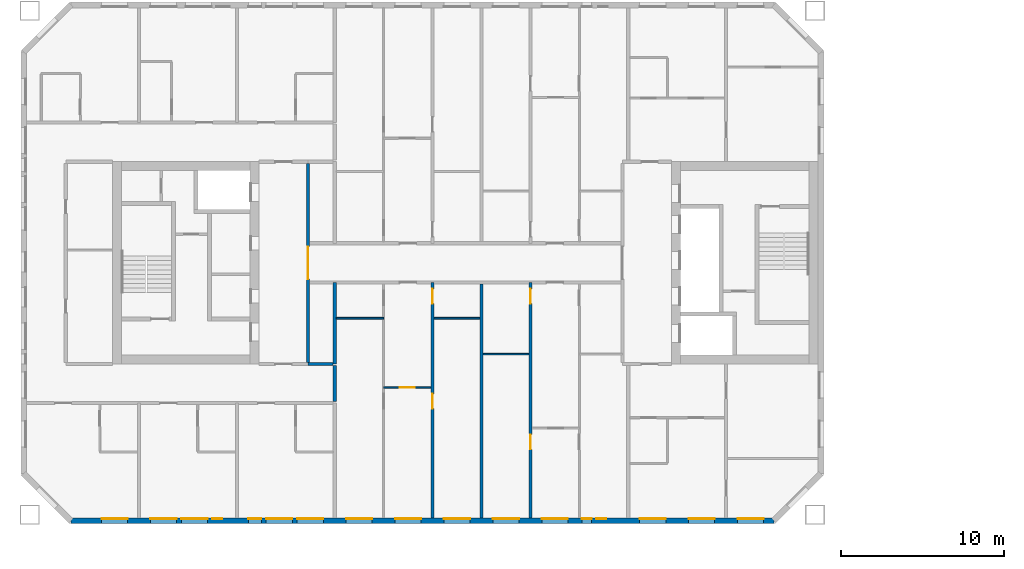
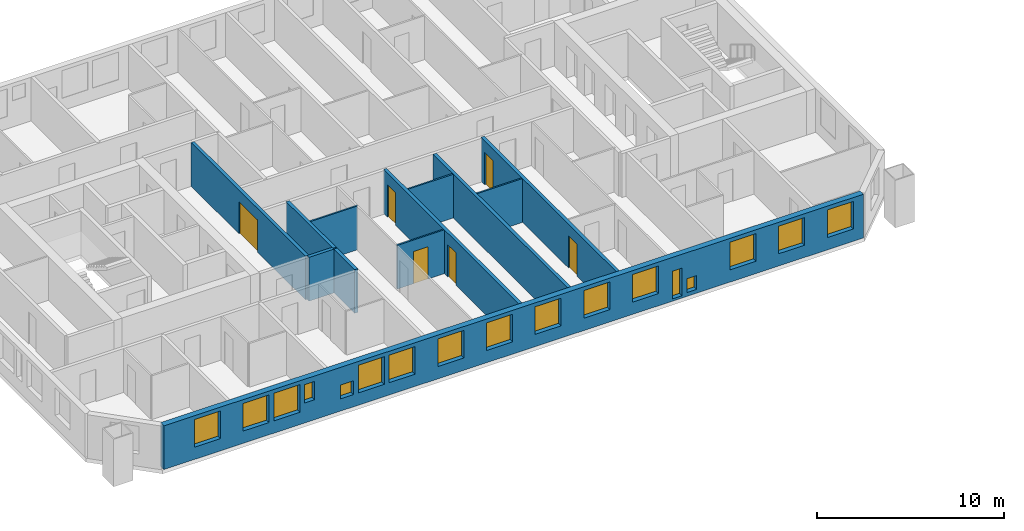
# One storey, part 4 of 16: 17 windows, 12 walls, 6 doors, 23 openings.
"""IFC4 building model written with IfcOpenShell, lengths in metres."""

from ifc_helpers import new_model, si_unit, direction, frame, frame_2d, origin, place, context, subcontext, project, spatial, rectangle, extrude, material, layer, layer_set, type_object, element, fill, save


model = new_model("IFC4")

# Units and contexts
model_context = context("Model", 3, precision=1e-05, world=origin(), true_north=direction((0.0, 1.0)))
body_context = subcontext(model_context, "Body", "Model", "MODEL_VIEW")
ifc_project = project(units=[si_unit("LENGTHUNIT", "METRE"), si_unit("AREAUNIT", "SQUARE_METRE"), si_unit("VOLUMEUNIT", "CUBIC_METRE"), si_unit("PLANEANGLEUNIT", "RADIAN"), si_unit("MASSUNIT", "GRAM", prefix="KILO")], contexts=[model_context])

# Site, building, storey
site_placement = place(None, origin())
site = spatial("IfcSite", under=ifc_project, at=site_placement, CompositionType="ELEMENT")
building_placement = place(site_placement, origin())
building = spatial("IfcBuilding", under=site, at=building_placement, Name="Tuart Gate Housing", CompositionType="ELEMENT")
storey_placement = place(building_placement, frame((0.0, 0.0, 129.89990234375)))
storey = spatial("IfcBuildingStorey", under=building, at=storey_placement, Name="L36", CompositionType="ELEMENT", Elevation=129.89990234375)

# Wall, openings, windows
ifc_material_1 = material(Name="Brick", Category="masonry")
ifc_layer_1 = layer(ifc_material_1, 0.360107421875)
ifc_layer_set_1 = layer_set([ifc_layer_1], Name="Brick pier and spandrel wall 360")
wall_type_1 = type_object("IfcWallType", Name="Brick pier and spandrel wall 360", PredefinedType="STANDARD", material=ifc_layer_set_1)
wall_1_placement = place(storey_placement, frame((29.82470703125, 54.179931640625, 0.0), z_axis=(0.0, 0.0, 1.0), x_axis=(1.0, 0.0, 0.0)))
wall_1 = element("IfcWall", 1, at=wall_1_placement, inside=storey, type_object=wall_type_1, Name="External wall A-S L36", PredefinedType="STANDARD", context=body_context, shape_type="SweptSolid", body=[
    extrude(rectangle(XDim=43.100830078125, YDim=0.360107421875, at=frame_2d((21.55029296875, 0.0))), origin(), (0.0, 0.0, 1.0), 2.85009765625),
])
opening_1_placement = place(wall_1_placement, frame((1.87548828125, 0.0, 0.800048828125)))
opening_1 = element("IfcOpeningElement", 2, at=opening_1_placement, cuts=wall_1, Name="Opening W1", PredefinedType="OPENING", context=body_context, shape_type="SweptSolid", body=[
    extrude(rectangle(XDim=1.60009765625, YDim=1.800048828125, at=frame_2d((0.800048828125, 0.89990234375))), frame((0.0, 0.18994140625, 0.0), z_axis=(0.0, -1.0, 0.0), x_axis=(1.0, 0.0, 0.0)), (0.0, 0.0, 1.0), 0.380126953125),
])
opening_2_placement = place(wall_1_placement, frame((4.87548828125, 0.0, 0.800048828125)))
opening_2 = element("IfcOpeningElement", 3, at=opening_2_placement, cuts=wall_1, Name="Opening W1", PredefinedType="OPENING", context=body_context, shape_type="SweptSolid", body=[
    extrude(rectangle(XDim=1.60009765625, YDim=1.800048828125, at=frame_2d((0.800048828125, 0.89990234375))), frame((0.0, 0.18994140625, 0.0), z_axis=(0.0, -1.0, 0.0), x_axis=(1.0, 0.0, 0.0)), (0.0, 0.0, 1.0), 0.380126953125),
])
opening_3_placement = place(wall_1_placement, frame((6.775390625, 0.0, 0.800048828125)))
opening_3 = element("IfcOpeningElement", 4, at=opening_3_placement, cuts=wall_1, Name="Opening W1", PredefinedType="OPENING", context=body_context, shape_type="SweptSolid", body=[
    extrude(rectangle(XDim=1.60009765625, YDim=1.800048828125, at=frame_2d((0.800048828125, 0.89990234375))), frame((0.0, 0.18994140625, 0.0), z_axis=(0.0, -1.0, 0.0), x_axis=(1.0, 0.0, 0.0)), (0.0, 0.0, 1.0), 0.380126953125),
])
opening_4_placement = place(wall_1_placement, frame((10.87548828125, 0.0, 0.800048828125)))
opening_4 = element("IfcOpeningElement", 5, at=opening_4_placement, cuts=wall_1, Name="Opening W1V", PredefinedType="OPENING", context=body_context, shape_type="SweptSolid", body=[
    extrude(rectangle(XDim=0.800048828125, YDim=0.89990234375, at=frame_2d((0.39990234375, 0.449951171875))), frame((0.0, 0.18994140625, 0.0), z_axis=(0.0, -1.0, 0.0), x_axis=(1.0, 0.0, 0.0)), (0.0, 0.0, 1.0), 0.380126953125),
])
opening_5_placement = place(wall_1_placement, frame((13.87548828125, 0.0, 0.800048828125)))
opening_5 = element("IfcOpeningElement", 6, at=opening_5_placement, cuts=wall_1, Name="Opening W1", PredefinedType="OPENING", context=body_context, shape_type="SweptSolid", body=[
    extrude(rectangle(XDim=1.60009765625, YDim=1.800048828125, at=frame_2d((0.800048828125, 0.89990234375))), frame((0.0, 0.18994140625, 0.0), z_axis=(0.0, -1.0, 0.0), x_axis=(1.0, 0.0, 0.0)), (0.0, 0.0, 1.0), 0.380126953125),
])
opening_6_placement = place(wall_1_placement, frame((16.87548828125, 0.0, 0.800048828125)))
opening_6 = element("IfcOpeningElement", 7, at=opening_6_placement, cuts=wall_1, Name="Opening W1", PredefinedType="OPENING", context=body_context, shape_type="SweptSolid", body=[
    extrude(rectangle(XDim=1.60009765625, YDim=1.800048828125, at=frame_2d((0.800048828125, 0.89990234375))), frame((0.0, 0.18994140625, 0.0), z_axis=(0.0, -1.0, 0.0), x_axis=(1.0, 0.0, 0.0)), (0.0, 0.0, 1.0), 0.380126953125),
])
opening_7_placement = place(wall_1_placement, frame((19.87548828125, 0.0, 0.800048828125)))
opening_7 = element("IfcOpeningElement", 8, at=opening_7_placement, cuts=wall_1, Name="Opening W1", PredefinedType="OPENING", context=body_context, shape_type="SweptSolid", body=[
    extrude(rectangle(XDim=1.60009765625, YDim=1.800048828125, at=frame_2d((0.800048828125, 0.89990234375))), frame((0.0, 0.18994140625, 0.0), z_axis=(0.0, -1.0, 0.0), x_axis=(1.0, 0.0, 0.0)), (0.0, 0.0, 1.0), 0.380126953125),
])
opening_8_placement = place(wall_1_placement, frame((22.87548828125, 0.0, 0.800048828125)))
opening_8 = element("IfcOpeningElement", 9, at=opening_8_placement, cuts=wall_1, Name="Opening W1", PredefinedType="OPENING", context=body_context, shape_type="SweptSolid", body=[
    extrude(rectangle(XDim=1.60009765625, YDim=1.800048828125, at=frame_2d((0.800048828125, 0.89990234375))), frame((0.0, 0.18994140625, 0.0), z_axis=(0.0, -1.0, 0.0), x_axis=(1.0, 0.0, 0.0)), (0.0, 0.0, 1.0), 0.380126953125),
])
opening_9_placement = place(wall_1_placement, frame((25.87548828125, 0.0, 0.800048828125)))
opening_9 = element("IfcOpeningElement", 10, at=opening_9_placement, cuts=wall_1, Name="Opening W1", PredefinedType="OPENING", context=body_context, shape_type="SweptSolid", body=[
    extrude(rectangle(XDim=1.60009765625, YDim=1.800048828125, at=frame_2d((0.800048828125, 0.89990234375))), frame((0.0, 0.18994140625, 0.0), z_axis=(0.0, -1.0, 0.0), x_axis=(1.0, 0.0, 0.0)), (0.0, 0.0, 1.0), 0.380126953125),
])
opening_10_placement = place(wall_1_placement, frame((28.87548828125, 0.0, 0.800048828125)))
opening_10 = element("IfcOpeningElement", 11, at=opening_10_placement, cuts=wall_1, Name="Opening W1", PredefinedType="OPENING", context=body_context, shape_type="SweptSolid", body=[
    extrude(rectangle(XDim=1.60009765625, YDim=1.800048828125, at=frame_2d((0.800048828125, 0.89990234375))), frame((0.0, 0.18994140625, 0.0), z_axis=(0.0, -1.0, 0.0), x_axis=(1.0, 0.0, 0.0)), (0.0, 0.0, 1.0), 0.380126953125),
])
opening_11_placement = place(wall_1_placement, frame((31.325439453125, 0.0, 0.14990234375)))
opening_11 = element("IfcOpeningElement", 12, at=opening_11_placement, cuts=wall_1, Name="Opening W1E", PredefinedType="OPENING", context=body_context, shape_type="SweptSolid", body=[
    extrude(rectangle(XDim=0.60009765625, YDim=1.800048828125, at=frame_2d((0.300048828125, 0.89990234375))), frame((0.0, 0.18994140625, 0.0), z_axis=(0.0, -1.0, 0.0), x_axis=(1.0, 0.0, 0.0)), (0.0, 0.0, 1.0), 0.380126953125),
])
opening_12_placement = place(wall_1_placement, frame((34.87548828125, 0.0, 0.800048828125)))
opening_12 = element("IfcOpeningElement", 13, at=opening_12_placement, cuts=wall_1, Name="Opening W1", PredefinedType="OPENING", context=body_context, shape_type="SweptSolid", body=[
    extrude(rectangle(XDim=1.60009765625, YDim=1.800048828125, at=frame_2d((0.800048828125, 0.89990234375))), frame((0.0, 0.18994140625, 0.0), z_axis=(0.0, -1.0, 0.0), x_axis=(1.0, 0.0, 0.0)), (0.0, 0.0, 1.0), 0.380126953125),
])
opening_13_placement = place(wall_1_placement, frame((37.87548828125, 0.0, 0.800048828125)))
opening_13 = element("IfcOpeningElement", 14, at=opening_13_placement, cuts=wall_1, Name="Opening W1", PredefinedType="OPENING", context=body_context, shape_type="SweptSolid", body=[
    extrude(rectangle(XDim=1.60009765625, YDim=1.800048828125, at=frame_2d((0.800048828125, 0.89990234375))), frame((0.0, 0.18994140625, 0.0), z_axis=(0.0, -1.0, 0.0), x_axis=(1.0, 0.0, 0.0)), (0.0, 0.0, 1.0), 0.380126953125),
])
opening_14_placement = place(wall_1_placement, frame((40.87548828125, 0.0, 0.800048828125)))
opening_14 = element("IfcOpeningElement", 15, at=opening_14_placement, cuts=wall_1, Name="Opening W1", PredefinedType="OPENING", context=body_context, shape_type="SweptSolid", body=[
    extrude(rectangle(XDim=1.60009765625, YDim=1.800048828125, at=frame_2d((0.800048828125, 0.89990234375))), frame((0.0, 0.18994140625, 0.0), z_axis=(0.0, -1.0, 0.0), x_axis=(1.0, 0.0, 0.0)), (0.0, 0.0, 1.0), 0.380126953125),
])
opening_15_placement = place(wall_1_placement, frame((8.67529296875, 0.0, 1.300048828125)))
opening_15 = element("IfcOpeningElement", 16, at=opening_15_placement, cuts=wall_1, Name="Opening W1Q", PredefinedType="OPENING", context=body_context, shape_type="SweptSolid", body=[
    extrude(rectangle(XDim=0.60009765625, YDim=1.199951171875, at=frame_2d((0.300048828125, 0.60009765625))), frame((0.0, 0.18994140625, 0.0), z_axis=(0.0, -1.0, 0.0), x_axis=(1.0, 0.0, 0.0)), (0.0, 0.0, 1.0), 0.380126953125),
])
opening_16_placement = place(wall_1_placement, frame((11.975341796875, 0.0, 0.800048828125)))
opening_16 = element("IfcOpeningElement", 17, at=opening_16_placement, cuts=wall_1, Name="Opening W1", PredefinedType="OPENING", context=body_context, shape_type="SweptSolid", body=[
    extrude(rectangle(XDim=1.60009765625, YDim=1.800048828125, at=frame_2d((0.800048828125, 0.89990234375))), frame((0.0, 0.18994140625, 0.0), z_axis=(0.0, -1.0, 0.0), x_axis=(1.0, 0.0, 0.0)), (0.0, 0.0, 1.0), 0.380126953125),
])
opening_17_placement = place(wall_1_placement, frame((32.225341796875, 0.0, 0.25)))
opening_17 = element("IfcOpeningElement", 18, at=opening_17_placement, cuts=wall_1, Name="Opening W1W", PredefinedType="OPENING", context=body_context, shape_type="SweptSolid", body=[
    extrude(rectangle(XDim=0.60009765625, YDim=0.89990234375, at=frame_2d((0.300048828125, 0.449951171875))), frame((0.0, 0.18994140625, 0.0), z_axis=(0.0, -1.0, 0.0), x_axis=(1.0, 0.0, 0.0)), (0.0, 0.0, 1.0), 0.380126953125),
])
ifc_material_2 = material(Name="Aluminium frame with clear glass", Category="aluminium")
window_type_1 = type_object("IfcWindowType", Name="Punched window 1600 x 1800", PartitioningType="SINGLE_PANEL", PredefinedType="WINDOW", material=ifc_material_2)
window_1_placement = place(opening_1_placement, origin())
window_1 = element("IfcWindow", 19, at=window_1_placement, inside=storey, type_object=window_type_1, Name="Window W1", OverallHeight=1.800048828125, OverallWidth=1.60009765625, PartitioningType="SINGLE_PANEL", PredefinedType="WINDOW", context=body_context, shape_type="SweptSolid", body=[
    extrude(rectangle(XDim=1.60009765625, YDim=1.800048828125, at=frame_2d((0.800048828125, 0.89990234375))), frame((0.0, 0.150146484375, 0.0), z_axis=(0.0, -1.0, 0.0), x_axis=(1.0, 0.0, 0.0)), (0.0, 0.0, 1.0), 0.06005859375),
])
fill(opening_1, window_1)
window_2_placement = place(opening_2_placement, origin())
window_2 = element("IfcWindow", 20, at=window_2_placement, inside=storey, type_object=window_type_1, Name="Window W1", OverallHeight=1.800048828125, OverallWidth=1.60009765625, PartitioningType="SINGLE_PANEL", PredefinedType="WINDOW", context=body_context, shape_type="SweptSolid", body=[
    extrude(rectangle(XDim=1.60009765625, YDim=1.800048828125, at=frame_2d((0.800048828125, 0.89990234375))), frame((0.0, 0.150146484375, 0.0), z_axis=(0.0, -1.0, 0.0), x_axis=(1.0, 0.0, 0.0)), (0.0, 0.0, 1.0), 0.06005859375),
])
fill(opening_2, window_2)
window_3_placement = place(opening_3_placement, origin())
window_3 = element("IfcWindow", 21, at=window_3_placement, inside=storey, type_object=window_type_1, Name="Window W1", OverallHeight=1.800048828125, OverallWidth=1.60009765625, PartitioningType="SINGLE_PANEL", PredefinedType="WINDOW", context=body_context, shape_type="SweptSolid", body=[
    extrude(rectangle(XDim=1.60009765625, YDim=1.800048828125, at=frame_2d((0.800048828125, 0.89990234375))), frame((0.0, 0.150146484375, 0.0), z_axis=(0.0, -1.0, 0.0), x_axis=(1.0, 0.0, 0.0)), (0.0, 0.0, 1.0), 0.06005859375),
])
fill(opening_3, window_3)
window_4_placement = place(opening_5_placement, origin())
window_4 = element("IfcWindow", 22, at=window_4_placement, inside=storey, type_object=window_type_1, Name="Window W1", OverallHeight=1.800048828125, OverallWidth=1.60009765625, PartitioningType="SINGLE_PANEL", PredefinedType="WINDOW", context=body_context, shape_type="SweptSolid", body=[
    extrude(rectangle(XDim=1.60009765625, YDim=1.800048828125, at=frame_2d((0.800048828125, 0.89990234375))), frame((0.0, 0.150146484375, 0.0), z_axis=(0.0, -1.0, 0.0), x_axis=(1.0, 0.0, 0.0)), (0.0, 0.0, 1.0), 0.06005859375),
])
fill(opening_5, window_4)
window_5_placement = place(opening_6_placement, origin())
window_5 = element("IfcWindow", 23, at=window_5_placement, inside=storey, type_object=window_type_1, Name="Window W1", OverallHeight=1.800048828125, OverallWidth=1.60009765625, PartitioningType="SINGLE_PANEL", PredefinedType="WINDOW", context=body_context, shape_type="SweptSolid", body=[
    extrude(rectangle(XDim=1.60009765625, YDim=1.800048828125, at=frame_2d((0.800048828125, 0.89990234375))), frame((0.0, 0.150146484375, 0.0), z_axis=(0.0, -1.0, 0.0), x_axis=(1.0, 0.0, 0.0)), (0.0, 0.0, 1.0), 0.06005859375),
])
fill(opening_6, window_5)
window_6_placement = place(opening_7_placement, origin())
window_6 = element("IfcWindow", 24, at=window_6_placement, inside=storey, type_object=window_type_1, Name="Window W1", OverallHeight=1.800048828125, OverallWidth=1.60009765625, PartitioningType="SINGLE_PANEL", PredefinedType="WINDOW", context=body_context, shape_type="SweptSolid", body=[
    extrude(rectangle(XDim=1.60009765625, YDim=1.800048828125, at=frame_2d((0.800048828125, 0.89990234375))), frame((0.0, 0.150146484375, 0.0), z_axis=(0.0, -1.0, 0.0), x_axis=(1.0, 0.0, 0.0)), (0.0, 0.0, 1.0), 0.06005859375),
])
fill(opening_7, window_6)
window_7_placement = place(opening_8_placement, origin())
window_7 = element("IfcWindow", 25, at=window_7_placement, inside=storey, type_object=window_type_1, Name="Window W1", OverallHeight=1.800048828125, OverallWidth=1.60009765625, PartitioningType="SINGLE_PANEL", PredefinedType="WINDOW", context=body_context, shape_type="SweptSolid", body=[
    extrude(rectangle(XDim=1.60009765625, YDim=1.800048828125, at=frame_2d((0.800048828125, 0.89990234375))), frame((0.0, 0.150146484375, 0.0), z_axis=(0.0, -1.0, 0.0), x_axis=(1.0, 0.0, 0.0)), (0.0, 0.0, 1.0), 0.06005859375),
])
fill(opening_8, window_7)
window_8_placement = place(opening_9_placement, origin())
window_8 = element("IfcWindow", 26, at=window_8_placement, inside=storey, type_object=window_type_1, Name="Window W1", OverallHeight=1.800048828125, OverallWidth=1.60009765625, PartitioningType="SINGLE_PANEL", PredefinedType="WINDOW", context=body_context, shape_type="SweptSolid", body=[
    extrude(rectangle(XDim=1.60009765625, YDim=1.800048828125, at=frame_2d((0.800048828125, 0.89990234375))), frame((0.0, 0.150146484375, 0.0), z_axis=(0.0, -1.0, 0.0), x_axis=(1.0, 0.0, 0.0)), (0.0, 0.0, 1.0), 0.06005859375),
])
fill(opening_9, window_8)
window_9_placement = place(opening_10_placement, origin())
window_9 = element("IfcWindow", 27, at=window_9_placement, inside=storey, type_object=window_type_1, Name="Window W1", OverallHeight=1.800048828125, OverallWidth=1.60009765625, PartitioningType="SINGLE_PANEL", PredefinedType="WINDOW", context=body_context, shape_type="SweptSolid", body=[
    extrude(rectangle(XDim=1.60009765625, YDim=1.800048828125, at=frame_2d((0.800048828125, 0.89990234375))), frame((0.0, 0.150146484375, 0.0), z_axis=(0.0, -1.0, 0.0), x_axis=(1.0, 0.0, 0.0)), (0.0, 0.0, 1.0), 0.06005859375),
])
fill(opening_10, window_9)
window_10_placement = place(opening_12_placement, origin())
window_10 = element("IfcWindow", 28, at=window_10_placement, inside=storey, type_object=window_type_1, Name="Window W1", OverallHeight=1.800048828125, OverallWidth=1.60009765625, PartitioningType="SINGLE_PANEL", PredefinedType="WINDOW", context=body_context, shape_type="SweptSolid", body=[
    extrude(rectangle(XDim=1.60009765625, YDim=1.800048828125, at=frame_2d((0.800048828125, 0.89990234375))), frame((0.0, 0.150146484375, 0.0), z_axis=(0.0, -1.0, 0.0), x_axis=(1.0, 0.0, 0.0)), (0.0, 0.0, 1.0), 0.06005859375),
])
fill(opening_12, window_10)
window_11_placement = place(opening_13_placement, origin())
window_11 = element("IfcWindow", 29, at=window_11_placement, inside=storey, type_object=window_type_1, Name="Window W1", OverallHeight=1.800048828125, OverallWidth=1.60009765625, PartitioningType="SINGLE_PANEL", PredefinedType="WINDOW", context=body_context, shape_type="SweptSolid", body=[
    extrude(rectangle(XDim=1.60009765625, YDim=1.800048828125, at=frame_2d((0.800048828125, 0.89990234375))), frame((0.0, 0.150146484375, 0.0), z_axis=(0.0, -1.0, 0.0), x_axis=(1.0, 0.0, 0.0)), (0.0, 0.0, 1.0), 0.06005859375),
])
fill(opening_13, window_11)
window_12_placement = place(opening_14_placement, origin())
window_12 = element("IfcWindow", 30, at=window_12_placement, inside=storey, type_object=window_type_1, Name="Window W1", OverallHeight=1.800048828125, OverallWidth=1.60009765625, PartitioningType="SINGLE_PANEL", PredefinedType="WINDOW", context=body_context, shape_type="SweptSolid", body=[
    extrude(rectangle(XDim=1.60009765625, YDim=1.800048828125, at=frame_2d((0.800048828125, 0.89990234375))), frame((0.0, 0.150146484375, 0.0), z_axis=(0.0, -1.0, 0.0), x_axis=(1.0, 0.0, 0.0)), (0.0, 0.0, 1.0), 0.06005859375),
])
fill(opening_14, window_12)
window_13_placement = place(opening_16_placement, origin())
window_13 = element("IfcWindow", 31, at=window_13_placement, inside=storey, type_object=window_type_1, Name="Window W1", OverallHeight=1.800048828125, OverallWidth=1.60009765625, PartitioningType="SINGLE_PANEL", PredefinedType="WINDOW", context=body_context, shape_type="SweptSolid", body=[
    extrude(rectangle(XDim=1.60009765625, YDim=1.800048828125, at=frame_2d((0.800048828125, 0.89990234375))), frame((0.0, 0.150146484375, 0.0), z_axis=(0.0, -1.0, 0.0), x_axis=(1.0, 0.0, 0.0)), (0.0, 0.0, 1.0), 0.06005859375),
])
fill(opening_16, window_13)
ifc_material_3 = material(Name="Aluminium frame with clear glass", Category="aluminium")
window_type_2 = type_object("IfcWindowType", Name="Punched window 600 x 1200", PartitioningType="SINGLE_PANEL", PredefinedType="WINDOW", material=ifc_material_3)
window_14_placement = place(opening_15_placement, origin())
window_14 = element("IfcWindow", 32, at=window_14_placement, inside=storey, type_object=window_type_2, Name="Window W1Q", OverallHeight=1.199951171875, OverallWidth=0.60009765625, PartitioningType="SINGLE_PANEL", PredefinedType="WINDOW", context=body_context, shape_type="SweptSolid", body=[
    extrude(rectangle(XDim=0.60009765625, YDim=1.199951171875, at=frame_2d((0.300048828125, 0.60009765625))), frame((0.0, 0.150146484375, 0.0), z_axis=(0.0, -1.0, 0.0), x_axis=(1.0, 0.0, 0.0)), (0.0, 0.0, 1.0), 0.06005859375),
])
fill(opening_15, window_14)
ifc_material_4 = material(Name="Aluminium frame with clear glass", Category="aluminium")
window_type_3 = type_object("IfcWindowType", Name="Punched window 600 x 1800", PartitioningType="SINGLE_PANEL", PredefinedType="WINDOW", material=ifc_material_4)
window_15_placement = place(opening_11_placement, origin())
window_15 = element("IfcWindow", 33, at=window_15_placement, inside=storey, type_object=window_type_3, Name="Window W1E", OverallHeight=1.800048828125, OverallWidth=0.60009765625, PartitioningType="SINGLE_PANEL", PredefinedType="WINDOW", context=body_context, shape_type="SweptSolid", body=[
    extrude(rectangle(XDim=0.60009765625, YDim=1.800048828125, at=frame_2d((0.300048828125, 0.89990234375))), frame((0.0, 0.150146484375, 0.0), z_axis=(0.0, -1.0, 0.0), x_axis=(1.0, 0.0, 0.0)), (0.0, 0.0, 1.0), 0.06005859375),
])
fill(opening_11, window_15)
ifc_material_5 = material(Name="Aluminium frame with clear glass", Category="aluminium")
window_type_4 = type_object("IfcWindowType", Name="Punched window 600 x 900", PartitioningType="SINGLE_PANEL", PredefinedType="WINDOW", material=ifc_material_5)
window_16_placement = place(opening_17_placement, origin())
window_16 = element("IfcWindow", 34, at=window_16_placement, inside=storey, type_object=window_type_4, Name="Window W1W", OverallHeight=0.89990234375, OverallWidth=0.60009765625, PartitioningType="SINGLE_PANEL", PredefinedType="WINDOW", context=body_context, shape_type="SweptSolid", body=[
    extrude(rectangle(XDim=0.60009765625, YDim=0.89990234375, at=frame_2d((0.300048828125, 0.449951171875))), frame((0.0, 0.150146484375, 0.0), z_axis=(0.0, -1.0, 0.0), x_axis=(1.0, 0.0, 0.0)), (0.0, 0.0, 1.0), 0.06005859375),
])
fill(opening_17, window_16)
ifc_material_6 = material(Name="Aluminium frame with clear glass", Category="aluminium")
window_type_5 = type_object("IfcWindowType", Name="Punched window 800 x 900", PartitioningType="SINGLE_PANEL", PredefinedType="WINDOW", material=ifc_material_6)
window_17_placement = place(opening_4_placement, origin())
window_17 = element("IfcWindow", 35, at=window_17_placement, inside=storey, type_object=window_type_5, Name="Window W1V", OverallHeight=0.89990234375, OverallWidth=0.800048828125, PartitioningType="SINGLE_PANEL", PredefinedType="WINDOW", context=body_context, shape_type="SweptSolid", body=[
    extrude(rectangle(XDim=0.800048828125, YDim=0.89990234375, at=frame_2d((0.39990234375, 0.449951171875))), frame((0.0, 0.150146484375, 0.0), z_axis=(0.0, -1.0, 0.0), x_axis=(1.0, 0.0, 0.0)), (0.0, 0.0, 1.0), 0.06005859375),
])
fill(opening_4, window_17)

# Walls
ifc_material_7 = material(Name="Concrete masonry 15 MPa", Category="masonry")
ifc_layer_2 = layer(ifc_material_7, 0.199951171875)
ifc_layer_set_2 = layer_set([ifc_layer_2], Name="Corridor wall masonry 200")
wall_type_2 = type_object("IfcWallType", Name="Corridor wall masonry 200", PredefinedType="PARTITIONING", material=ifc_layer_set_2)
wall_2_placement = place(storey_placement, frame((44.360107421875, 63.800048828125, 0.0), z_axis=(0.0, 0.0, 1.0), x_axis=(1.0, 0.0, 0.0)))
element("IfcWall", 36, at=wall_2_placement, inside=storey, type_object=wall_type_2, Name="Corridor wall masonry 200", PredefinedType="PARTITIONING", context=body_context, shape_type="SweptSolid", body=[
    extrude(rectangle(XDim=1.539794921875, YDim=0.199951171875, at=frame_2d((0.77001953125, 0.0))), origin(), (0.0, 0.0, 1.0), 2.85009765625),
])
wall_3_placement = place(storey_placement, frame((46.0, 61.5, 0.0), z_axis=(0.0, 0.0, 1.0), x_axis=(0.0, 1.0, 0.0)))
element("IfcWall", 37, at=wall_3_placement, inside=storey, type_object=wall_type_2, Name="Corridor wall masonry 200", PredefinedType="PARTITIONING", context=body_context, shape_type="SweptSolid", body=[
    extrude(rectangle(XDim=2.199951171875, YDim=0.199951171875, at=frame_2d((1.10009765625, 0.0))), origin(), (0.0, 0.0, 1.0), 2.85009765625),
])

# Wall, opening, door
ifc_material_8 = material(Name="Plasterboard partition")
ifc_layer_3 = layer(ifc_material_8, 0.199951171875)
ifc_layer_set_3 = layer_set([ifc_layer_3], Name="Lobby wall 200")
wall_type_3 = type_object("IfcWallType", Name="Lobby wall 200", PredefinedType="PARTITIONING", material=ifc_layer_set_3)
wall_4_placement = place(storey_placement, frame((44.360107421875, 63.89990234375, 0.0), z_axis=(0.0, 0.0, 1.0), x_axis=(0.0, 1.0, 0.0)))
wall_4 = element("IfcWall", 38, at=wall_4_placement, inside=storey, type_object=wall_type_3, Name="Lift lobby wall AK", PredefinedType="PARTITIONING", context=body_context, shape_type="SweptSolid", body=[
    extrude(rectangle(XDim=12.2001953125, YDim=0.199951171875, at=frame_2d((6.10009765625, 0.0))), origin(), (0.0, 0.0, 1.0), 2.85009765625),
])
opening_18_placement = place(wall_4_placement, frame((5.10009765625, 0.0, 0.0)))
opening_18 = element("IfcOpeningElement", 39, at=opening_18_placement, cuts=wall_4, Name="Opening D1322", PredefinedType="OPENING", context=body_context, shape_type="SweptSolid", body=[
    extrude(rectangle(XDim=2.0, YDim=2.10009765625, at=frame_2d((1.0, 1.050048828125))), frame((0.0, 0.10986328125, 0.0), z_axis=(0.0, -1.0, 0.0), x_axis=(1.0, 0.0, 0.0)), (0.0, 0.0, 1.0), 0.219970703125),
])
ifc_material_9 = material(Name="Steel fire door", Category="steel")
door_type_1 = type_object("IfcDoorType", Name="Smoke door 2000 x 2100", OperationType="DOUBLE_DOOR_SINGLE_SWING", PredefinedType="DOOR", material=ifc_material_9)
door_1_placement = place(opening_18_placement, origin())
door_1 = element("IfcDoor", 40, at=door_1_placement, inside=storey, type_object=door_type_1, Name="Lift lobby smoke door AK", OperationType="DOUBLE_DOOR_SINGLE_SWING", OverallHeight=2.10009765625, OverallWidth=2.0, PredefinedType="DOOR", context=body_context, shape_type="SweptSolid", body=[
    extrude(rectangle(XDim=2.0, YDim=2.10009765625, at=frame_2d((1.0, 1.050048828125))), frame((0.0, 0.02490234375, 0.0), z_axis=(0.0, -1.0, 0.0), x_axis=(1.0, 0.0, 0.0)), (0.0, 0.0, 1.0), 0.050048828125),
])
fill(opening_18, door_1)

ifc_material_10 = material(Name="Gypsum board on steel studs", Category="steel")
ifc_layer_4 = layer(ifc_material_10, 0.10009765625)
ifc_layer_set_4 = layer_set([ifc_layer_4], Name="Partition 100")
wall_type_4 = type_object("IfcWallType", Name="Partition 100", PredefinedType="PARTITIONING", material=ifc_layer_set_4)
wall_5_placement = place(storey_placement, frame((49.0, 62.360107421875, 0.0), z_axis=(0.0, 0.0, 1.0), x_axis=(1.0, 0.0, 0.0)))
wall_5 = element("IfcWall", 41, at=wall_5_placement, inside=storey, type_object=wall_type_4, Name="Partition 100", PredefinedType="PARTITIONING", context=body_context, shape_type="SweptSolid", body=[
    extrude(rectangle(XDim=2.89990234375, YDim=0.10009765625, at=frame_2d((1.449951171875, 0.0))), origin(), (0.0, 0.0, 1.0), 2.85009765625),
])
opening_19_placement = place(wall_5_placement, frame((1.0, 0.0, 0.0)))
opening_19 = element("IfcOpeningElement", 42, at=opening_19_placement, cuts=wall_5, Name="Opening D1331", PredefinedType="OPENING", context=body_context, shape_type="SweptSolid", body=[
    extrude(rectangle(XDim=0.89990234375, YDim=2.10009765625, at=frame_2d((0.449951171875, 1.050048828125))), frame((0.0, 0.06005859375, 0.0), z_axis=(0.0, -1.0, 0.0), x_axis=(1.0, 0.0, 0.0)), (0.0, 0.0, 1.0), 0.1201171875),
])
ifc_material_11 = material(Name="Timber door leaf in steel frame", Category="steel")
door_type_2 = type_object("IfcDoorType", Name="Internal door 900", OperationType="SINGLE_SWING_LEFT", PredefinedType="DOOR", material=ifc_material_11)
door_2_placement = place(opening_19_placement, origin())
door_2 = element("IfcDoor", 43, at=door_2_placement, inside=storey, type_object=door_type_2, Name="Internal door", OperationType="SINGLE_SWING_LEFT", OverallHeight=2.10009765625, OverallWidth=0.89990234375, PredefinedType="DOOR", context=body_context, shape_type="SweptSolid", body=[
    extrude(rectangle(XDim=0.89990234375, YDim=2.10009765625, at=frame_2d((0.449951171875, 1.050048828125))), frame((0.0, 0.02490234375, 0.0), z_axis=(0.0, -1.0, 0.0), x_axis=(1.0, 0.0, 0.0)), (0.0, 0.0, 1.0), 0.050048828125),
])
fill(opening_19, door_2)

# Walls
wall_6_placement = place(storey_placement, frame((55.10009765625, 64.39990234375, 0.0), z_axis=(0.0, 0.0, 1.0), x_axis=(1.0, 0.0, 0.0)))
element("IfcWall", 44, at=wall_6_placement, inside=storey, type_object=wall_type_4, Name="Partition 100", PredefinedType="PARTITIONING", context=body_context, shape_type="SweptSolid", body=[
    extrude(rectangle(XDim=2.7998046875, YDim=0.10009765625, at=frame_2d((1.39990234375, 0.0))), origin(), (0.0, 0.0, 1.0), 2.85009765625),
])
wall_7_placement = place(storey_placement, frame((46.10009765625, 66.60009765625, 0.0), z_axis=(0.0, 0.0, 1.0), x_axis=(1.0, 0.0, 0.0)))
element("IfcWall", 45, at=wall_7_placement, inside=storey, type_object=wall_type_4, Name="Partition 100", PredefinedType="PARTITIONING", context=body_context, shape_type="SweptSolid", body=[
    extrude(rectangle(XDim=2.89990234375, YDim=0.10009765625, at=frame_2d((1.449951171875, 0.0))), origin(), (0.0, 0.0, 1.0), 2.85009765625),
])
wall_8_placement = place(storey_placement, frame((52.10009765625, 66.60009765625, 0.0), z_axis=(0.0, 0.0, 1.0), x_axis=(1.0, 0.0, 0.0)))
element("IfcWall", 46, at=wall_8_placement, inside=storey, type_object=wall_type_4, Name="Partition 100", PredefinedType="PARTITIONING", context=body_context, shape_type="SweptSolid", body=[
    extrude(rectangle(XDim=2.7998046875, YDim=0.10009765625, at=frame_2d((1.39990234375, 0.0))), origin(), (0.0, 0.0, 1.0), 2.85009765625),
])
ifc_material_12 = material(Name="Concrete C40", Category="concrete")
ifc_layer_5 = layer(ifc_material_12, 0.199951171875)
ifc_layer_set_5 = layer_set([ifc_layer_5], Name="Party wall concrete C40 200")
wall_type_5 = type_object("IfcWallType", Name="Party wall concrete C40 200", PredefinedType="SOLIDWALL", material=ifc_layer_set_5)
wall_9_placement = place(storey_placement, frame((46.0, 63.800048828125, 0.0), z_axis=(0.0, 0.0, 1.0), x_axis=(0.0, 1.0, 0.0)))
element("IfcWall", 47, at=wall_9_placement, inside=storey, type_object=wall_type_5, Name="Party wall concrete C40 200", PredefinedType="SOLIDWALL", context=body_context, shape_type="SweptSolid", body=[
    extrude(rectangle(XDim=5.0, YDim=0.199951171875, at=frame_2d((2.5, 0.0))), origin(), (0.0, 0.0, 1.0), 2.85009765625),
])

# Wall, openings, doors
wall_10_placement = place(storey_placement, frame((52.0, 54.360107421875, 0.0), z_axis=(0.0, 0.0, 1.0), x_axis=(0.0, 1.0, 0.0)))
wall_10 = element("IfcWall", 48, at=wall_10_placement, inside=storey, type_object=wall_type_5, Name="Party wall concrete C40 200", PredefinedType="SOLIDWALL", context=body_context, shape_type="SweptSolid", body=[
    extrude(rectangle(XDim=14.43994140625, YDim=0.199951171875, at=frame_2d((7.219970703125, 0.0))), origin(), (0.0, 0.0, 1.0), 2.85009765625),
])
opening_20_placement = place(wall_10_placement, frame((6.699951171875, 0.0, 0.0)))
opening_20 = element("IfcOpeningElement", 49, at=opening_20_placement, cuts=wall_10, Name="Opening D1333", PredefinedType="OPENING", context=body_context, shape_type="SweptSolid", body=[
    extrude(rectangle(XDim=0.89990234375, YDim=2.10009765625, at=frame_2d((0.449951171875, 1.050048828125))), frame((0.0, 0.10986328125, 0.0), z_axis=(0.0, -1.0, 0.0), x_axis=(1.0, 0.0, 0.0)), (0.0, 0.0, 1.0), 0.219970703125),
])
opening_21_placement = place(wall_10_placement, frame((13.139892578125, 0.0, 0.0)))
opening_21 = element("IfcOpeningElement", 50, at=opening_21_placement, cuts=wall_10, Name="Opening D1332", PredefinedType="OPENING", context=body_context, shape_type="SweptSolid", body=[
    extrude(rectangle(XDim=0.89990234375, YDim=2.10009765625, at=frame_2d((0.449951171875, 1.050048828125))), frame((0.0, 0.10986328125, 0.0), z_axis=(0.0, -1.0, 0.0), x_axis=(1.0, 0.0, 0.0)), (0.0, 0.0, 1.0), 0.219970703125),
])
ifc_material_13 = material(Name="Timber door leaf in steel frame", Category="steel")
door_type_3 = type_object("IfcDoorType", Name="Bathroom door 900", OperationType="SINGLE_SWING_LEFT", PredefinedType="DOOR", material=ifc_material_13)
door_3_placement = place(opening_21_placement, frame((0.89990234375, 0.0, 0.0), z_axis=(0.0, 0.0, 1.0), x_axis=(-1.0, 0.0, 0.0)))
door_3 = element("IfcDoor", 51, at=door_3_placement, inside=storey, type_object=door_type_3, Name="Bathroom door", OperationType="SINGLE_SWING_LEFT", OverallHeight=2.10009765625, OverallWidth=0.89990234375, PredefinedType="DOOR", context=body_context, shape_type="SweptSolid", body=[
    extrude(rectangle(XDim=0.89990234375, YDim=2.10009765625, at=frame_2d((0.449951171875, 1.050048828125))), frame((0.0, 0.025146484375, 0.0), z_axis=(0.0, -1.0, 0.0), x_axis=(1.0, 0.0, 0.0)), (0.0, 0.0, 1.0), 0.050048828125),
])
fill(opening_21, door_3)
door_4_placement = place(opening_20_placement, frame((0.89990234375, 0.0, 0.0), z_axis=(0.0, 0.0, 1.0), x_axis=(-1.0, 0.0, 0.0)))
door_4 = element("IfcDoor", 52, at=door_4_placement, inside=storey, type_object=door_type_2, Name="Internal door", OperationType="SINGLE_SWING_LEFT", OverallHeight=2.10009765625, OverallWidth=0.89990234375, PredefinedType="DOOR", context=body_context, shape_type="SweptSolid", body=[
    extrude(rectangle(XDim=0.89990234375, YDim=2.10009765625, at=frame_2d((0.449951171875, 1.050048828125))), frame((0.0, 0.025146484375, 0.0), z_axis=(0.0, -1.0, 0.0), x_axis=(1.0, 0.0, 0.0)), (0.0, 0.0, 1.0), 0.050048828125),
])
fill(opening_20, door_4)

wall_11_placement = place(storey_placement, frame((58.0, 54.360107421875, 0.0), z_axis=(0.0, 0.0, 1.0), x_axis=(0.0, 1.0, 0.0)))
wall_11 = element("IfcWall", 53, at=wall_11_placement, inside=storey, type_object=wall_type_5, Name="Party wall concrete C40 200", PredefinedType="SOLIDWALL", context=body_context, shape_type="SweptSolid", body=[
    extrude(rectangle(XDim=14.43994140625, YDim=0.199951171875, at=frame_2d((7.219970703125, 0.0))), origin(), (0.0, 0.0, 1.0), 2.85009765625),
])
opening_22_placement = place(wall_11_placement, frame((4.199951171875, 0.0, 0.0)))
opening_22 = element("IfcOpeningElement", 54, at=opening_22_placement, cuts=wall_11, Name="Opening D1335", PredefinedType="OPENING", context=body_context, shape_type="SweptSolid", body=[
    extrude(rectangle(XDim=0.89990234375, YDim=2.10009765625, at=frame_2d((0.449951171875, 1.050048828125))), frame((0.0, 0.10986328125, 0.0), z_axis=(0.0, -1.0, 0.0), x_axis=(1.0, 0.0, 0.0)), (0.0, 0.0, 1.0), 0.219970703125),
])
opening_23_placement = place(wall_11_placement, frame((13.139892578125, 0.0, 0.0)))
opening_23 = element("IfcOpeningElement", 55, at=opening_23_placement, cuts=wall_11, Name="Opening D1334", PredefinedType="OPENING", context=body_context, shape_type="SweptSolid", body=[
    extrude(rectangle(XDim=0.89990234375, YDim=2.10009765625, at=frame_2d((0.449951171875, 1.050048828125))), frame((0.0, 0.10986328125, 0.0), z_axis=(0.0, -1.0, 0.0), x_axis=(1.0, 0.0, 0.0)), (0.0, 0.0, 1.0), 0.219970703125),
])
ifc_material_14 = material(Name="Timber door leaf in steel frame", Category="steel")
door_type_4 = type_object("IfcDoorType", Name="Bathroom door 900 RH", OperationType="SINGLE_SWING_RIGHT", PredefinedType="DOOR", material=ifc_material_14)
door_5_placement = place(opening_23_placement, origin())
door_5 = element("IfcDoor", 56, at=door_5_placement, inside=storey, type_object=door_type_4, Name="Bathroom door", OperationType="SINGLE_SWING_RIGHT", OverallHeight=2.10009765625, OverallWidth=0.89990234375, PredefinedType="DOOR", context=body_context, shape_type="SweptSolid", body=[
    extrude(rectangle(XDim=0.89990234375, YDim=2.10009765625, at=frame_2d((0.449951171875, 1.050048828125))), frame((0.0, 0.02490234375, 0.0), z_axis=(0.0, -1.0, 0.0), x_axis=(1.0, 0.0, 0.0)), (0.0, 0.0, 1.0), 0.050048828125),
])
fill(opening_23, door_5)
door_6_placement = place(opening_22_placement, origin())
door_6 = element("IfcDoor", 57, at=door_6_placement, inside=storey, type_object=door_type_2, Name="Internal door", OperationType="SINGLE_SWING_LEFT", OverallHeight=2.10009765625, OverallWidth=0.89990234375, PredefinedType="DOOR", context=body_context, shape_type="SweptSolid", body=[
    extrude(rectangle(XDim=0.89990234375, YDim=2.10009765625, at=frame_2d((0.449951171875, 1.050048828125))), frame((0.0, 0.02490234375, 0.0), z_axis=(0.0, -1.0, 0.0), x_axis=(1.0, 0.0, 0.0)), (0.0, 0.0, 1.0), 0.050048828125),
])
fill(opening_22, door_6)

# Wall
ifc_material_15 = material(Name="Concrete masonry 15 MPa", Category="masonry")
ifc_layer_6 = layer(ifc_material_15, 0.199951171875)
ifc_layer_set_6 = layer_set([ifc_layer_6], Name="Party wall masonry 200")
wall_type_6 = type_object("IfcWallType", Name="Party wall masonry 200", PredefinedType="PARTITIONING", material=ifc_layer_set_6)
wall_12_placement = place(storey_placement, frame((55.0, 54.360107421875, 0.0), z_axis=(0.0, 0.0, 1.0), x_axis=(0.0, 1.0, 0.0)))
element("IfcWall", 58, at=wall_12_placement, inside=storey, type_object=wall_type_6, Name="Party wall masonry 200", PredefinedType="PARTITIONING", context=body_context, shape_type="SweptSolid", body=[
    extrude(rectangle(XDim=14.33984375, YDim=0.199951171875, at=frame_2d((7.169921875, 0.0))), origin(), (0.0, 0.0, 1.0), 2.85009765625),
])

save(model, "model.ifc")
